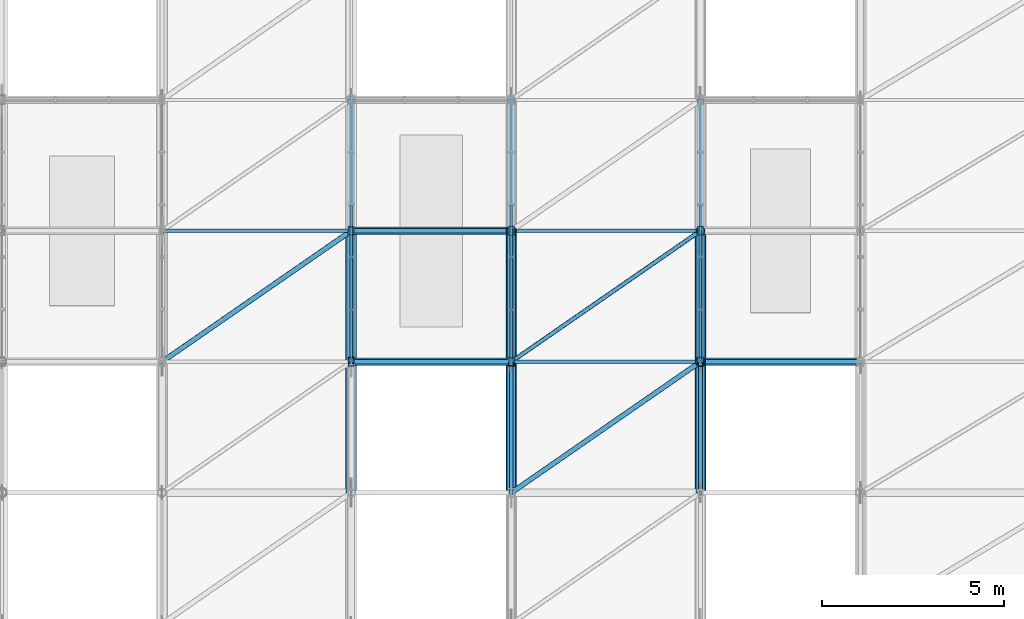
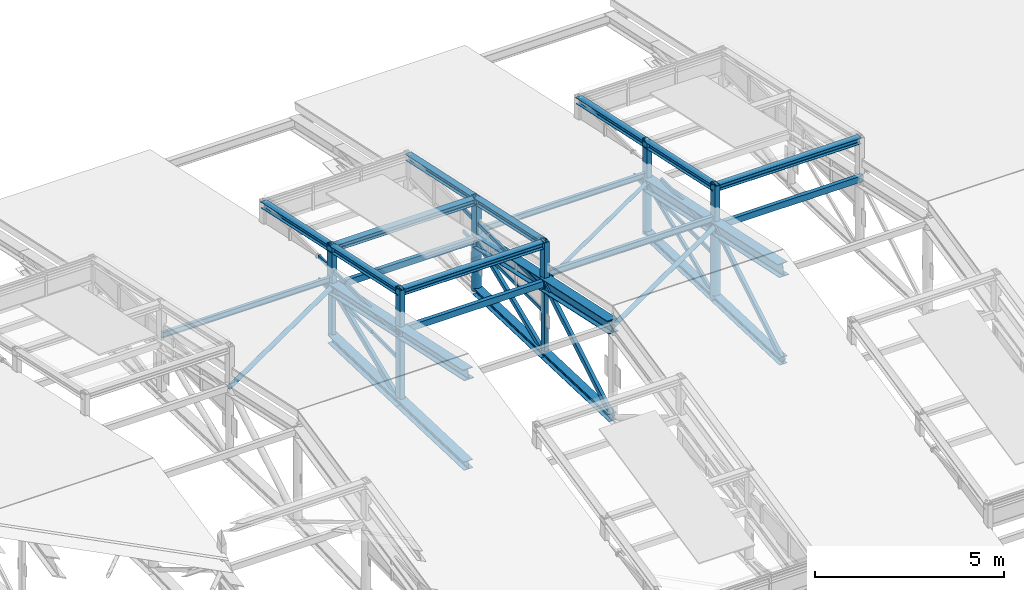
# One storey, part 40 of 124: 61 members, 3 elements without a shape of their own.
"""IFC4 building model written with IfcOpenShell, lengths in metres."""

from ifc_helpers import new_model, si_unit, direction, frame, origin, origin_2d, place, context, subcontext, project, spatial, hollow_rectangle, hollow_circle, i_section, extrude, material, layer, layer_set, material_profile, profile_set, type_object, element, aggregate, save


model = new_model("IFC4")

# Units and contexts
model_context = context("Model", 3, precision=1e-05, world=origin(), true_north=direction((0.0, 1.0)))
body_context = subcontext(model_context, "Body", "Model", "MODEL_VIEW")
ifc_project = project(units=[si_unit("LENGTHUNIT", "METRE"), si_unit("AREAUNIT", "SQUARE_METRE"), si_unit("VOLUMEUNIT", "CUBIC_METRE"), si_unit("PLANEANGLEUNIT", "RADIAN"), si_unit("MASSUNIT", "GRAM", prefix="KILO"), si_unit("THERMODYNAMICTEMPERATUREUNIT", "KELVIN"), si_unit("POWERUNIT", "WATT")], contexts=[model_context])

# Site, building, storey
site_placement = place(None, origin())
site = spatial("IfcSite", under=ifc_project, at=site_placement, CompositionType="ELEMENT")
building_placement = place(site_placement, origin())
building = spatial("IfcBuilding", under=site, at=building_placement, Name="Tavuni Mirador Residences", CompositionType="ELEMENT")
storey_placement = place(building_placement, frame((0.0, 0.0, 7.64990234375)))
storey = spatial("IfcBuildingStorey", under=building, at=storey_placement, Name="L02", CompositionType="ELEMENT", Elevation=7.64990234375)

# Curtain wall, members
ifc_material_1 = material(Name="Anodised aluminium", Category="aluminium")
ifc_layer = layer(ifc_material_1, 0.199951171875, Name="Anodised aluminium", Category="aluminium")
ifc_layer_set = layer_set([ifc_layer], Name="Anodised aluminium")
curtain_wall_type = type_object("IfcCurtainWallType", Name="CWT-HAL-01", PredefinedType="NOTDEFINED", material=ifc_layer_set)
curtain_wall_1_placement = place(storey_placement, origin())
curtain_wall_1 = element("IfcCurtainWall", 1, at=curtain_wall_1_placement, inside=storey, type_object=curtain_wall_type, Name="CW-HALL-MON-N2-W", PredefinedType="NOTDEFINED")
ifc_material_profile_1 = material_profile(ifc_material_1, hollow_rectangle(XDim=0.06005859375, YDim=0.110107421875, WallThickness=0.00390625, at=origin_2d()), Name="ALU 60x110x4.0", Category="aluminium")
ifc_profile_set_1 = profile_set([ifc_material_profile_1], Name="Anodised aluminium")
member_type_1 = type_object("IfcMemberType", Name="CWT-110", PredefinedType="USERDEFINED", material=ifc_profile_set_1)
member_1_placement = place(storey_placement, frame((54.39990234375, 90.06005859375, 1.205078125), z_axis=(0.0, 1.0, 0.0), x_axis=(-1.0, 0.0, 0.0)))
member_1 = element("IfcMember", 2, at=member_1_placement, type_object=member_type_1, Name="CW-06 transom 1.1", ObjectType="TRANSOM", PredefinedType="USERDEFINED", context=body_context, shape_type="SweptSolid", body=[
    extrude(hollow_rectangle(XDim=0.06005859375, YDim=0.110107421875, WallThickness=0.00390625, at=origin_2d()), origin(), (0.0, 0.0, 1.0), 1.349853515625),
])
member_2_placement = place(storey_placement, frame((54.39990234375, 90.06005859375, 1.93505859375), z_axis=(0.0, 1.0, 0.0), x_axis=(-1.0, 0.0, 0.0)))
member_2 = element("IfcMember", 3, at=member_2_placement, type_object=member_type_1, Name="CW-06 transom 1.2", ObjectType="TRANSOM", PredefinedType="USERDEFINED", context=body_context, shape_type="SweptSolid", body=[
    extrude(hollow_rectangle(XDim=0.06005859375, YDim=0.110107421875, WallThickness=0.00390625, at=origin_2d()), origin(), (0.0, 0.0, 1.0), 1.349853515625),
])
member_3_placement = place(storey_placement, frame((54.39990234375, 91.469970703125, 1.205078125), z_axis=(0.0, 1.0, 0.0), x_axis=(-1.0, 0.0, 0.0)))
member_3 = element("IfcMember", 4, at=member_3_placement, type_object=member_type_1, Name="CW-06 transom 2.1", ObjectType="TRANSOM", PredefinedType="USERDEFINED", context=body_context, shape_type="SweptSolid", body=[
    extrude(hollow_rectangle(XDim=0.06005859375, YDim=0.110107421875, WallThickness=0.00390625, at=origin_2d()), origin(), (0.0, 0.0, 1.0), 1.380126953125),
])
member_4_placement = place(storey_placement, frame((54.39990234375, 91.469970703125, 1.93505859375), z_axis=(0.0, 1.0, 0.0), x_axis=(-1.0, 0.0, 0.0)))
member_4 = element("IfcMember", 5, at=member_4_placement, type_object=member_type_1, Name="CW-06 transom 2.2", ObjectType="TRANSOM", PredefinedType="USERDEFINED", context=body_context, shape_type="SweptSolid", body=[
    extrude(hollow_rectangle(XDim=0.06005859375, YDim=0.110107421875, WallThickness=0.00390625, at=origin_2d()), origin(), (0.0, 0.0, 1.0), 1.380126953125),
])
member_5_placement = place(storey_placement, frame((54.39990234375, 92.909912109375, 1.205078125), z_axis=(0.0, 1.0, 0.0), x_axis=(-1.0, 0.0, 0.0)))
member_5 = element("IfcMember", 6, at=member_5_placement, type_object=member_type_1, Name="CW-06 transom 3.1", ObjectType="TRANSOM", PredefinedType="USERDEFINED", context=body_context, shape_type="SweptSolid", body=[
    extrude(hollow_rectangle(XDim=0.06005859375, YDim=0.110107421875, WallThickness=0.00390625, at=origin_2d()), origin(), (0.0, 0.0, 1.0), 1.380126953125),
])
member_6_placement = place(storey_placement, frame((54.39990234375, 92.909912109375, 1.93505859375), z_axis=(0.0, 1.0, 0.0), x_axis=(-1.0, 0.0, 0.0)))
member_6 = element("IfcMember", 7, at=member_6_placement, type_object=member_type_1, Name="CW-06 transom 3.2", ObjectType="TRANSOM", PredefinedType="USERDEFINED", context=body_context, shape_type="SweptSolid", body=[
    extrude(hollow_rectangle(XDim=0.06005859375, YDim=0.110107421875, WallThickness=0.00390625, at=origin_2d()), origin(), (0.0, 0.0, 1.0), 1.380126953125),
])
aggregate(curtain_wall_1, [member_1, member_2, member_3, member_4, member_5, member_6])

curtain_wall_2_placement = place(storey_placement, origin())
curtain_wall_2 = element("IfcCurtainWall", 8, at=curtain_wall_2_placement, inside=storey, type_object=curtain_wall_type, Name="CW-HALL-MON-N2-E", PredefinedType="NOTDEFINED")
member_7_placement = place(storey_placement, frame((58.800048828125, 90.06005859375, 1.205078125), z_axis=(0.0, 1.0, 0.0), x_axis=(-1.0, 0.0, 0.0)))
member_7 = element("IfcMember", 9, at=member_7_placement, type_object=member_type_1, Name="CW-06 transom 1.1", ObjectType="TRANSOM", PredefinedType="USERDEFINED", context=body_context, shape_type="SweptSolid", body=[
    extrude(hollow_rectangle(XDim=0.06005859375, YDim=0.110107421875, WallThickness=0.00390625, at=origin_2d()), origin(), (0.0, 0.0, 1.0), 1.349853515625),
])
member_8_placement = place(storey_placement, frame((58.800048828125, 90.06005859375, 1.93505859375), z_axis=(0.0, 1.0, 0.0), x_axis=(-1.0, 0.0, 0.0)))
member_8 = element("IfcMember", 10, at=member_8_placement, type_object=member_type_1, Name="CW-06 transom 1.2", ObjectType="TRANSOM", PredefinedType="USERDEFINED", context=body_context, shape_type="SweptSolid", body=[
    extrude(hollow_rectangle(XDim=0.06005859375, YDim=0.110107421875, WallThickness=0.00390625, at=origin_2d()), origin(), (0.0, 0.0, 1.0), 1.349853515625),
])
member_9_placement = place(storey_placement, frame((58.800048828125, 91.469970703125, 1.205078125), z_axis=(0.0, 1.0, 0.0), x_axis=(-1.0, 0.0, 0.0)))
member_9 = element("IfcMember", 11, at=member_9_placement, type_object=member_type_1, Name="CW-06 transom 2.1", ObjectType="TRANSOM", PredefinedType="USERDEFINED", context=body_context, shape_type="SweptSolid", body=[
    extrude(hollow_rectangle(XDim=0.06005859375, YDim=0.110107421875, WallThickness=0.00390625, at=origin_2d()), origin(), (0.0, 0.0, 1.0), 1.380126953125),
])
member_10_placement = place(storey_placement, frame((58.800048828125, 91.469970703125, 1.93505859375), z_axis=(0.0, 1.0, 0.0), x_axis=(-1.0, 0.0, 0.0)))
member_10 = element("IfcMember", 12, at=member_10_placement, type_object=member_type_1, Name="CW-06 transom 2.2", ObjectType="TRANSOM", PredefinedType="USERDEFINED", context=body_context, shape_type="SweptSolid", body=[
    extrude(hollow_rectangle(XDim=0.06005859375, YDim=0.110107421875, WallThickness=0.00390625, at=origin_2d()), origin(), (0.0, 0.0, 1.0), 1.380126953125),
])
member_11_placement = place(storey_placement, frame((58.800048828125, 92.909912109375, 1.205078125), z_axis=(0.0, 1.0, 0.0), x_axis=(-1.0, 0.0, 0.0)))
member_11 = element("IfcMember", 13, at=member_11_placement, type_object=member_type_1, Name="CW-06 transom 3.1", ObjectType="TRANSOM", PredefinedType="USERDEFINED", context=body_context, shape_type="SweptSolid", body=[
    extrude(hollow_rectangle(XDim=0.06005859375, YDim=0.110107421875, WallThickness=0.00390625, at=origin_2d()), origin(), (0.0, 0.0, 1.0), 1.380126953125),
])
member_12_placement = place(storey_placement, frame((58.800048828125, 92.909912109375, 1.93505859375), z_axis=(0.0, 1.0, 0.0), x_axis=(-1.0, 0.0, 0.0)))
member_12 = element("IfcMember", 14, at=member_12_placement, type_object=member_type_1, Name="CW-06 transom 3.2", ObjectType="TRANSOM", PredefinedType="USERDEFINED", context=body_context, shape_type="SweptSolid", body=[
    extrude(hollow_rectangle(XDim=0.06005859375, YDim=0.110107421875, WallThickness=0.00390625, at=origin_2d()), origin(), (0.0, 0.0, 1.0), 1.380126953125),
])
aggregate(curtain_wall_2, [member_7, member_8, member_9, member_10, member_11, member_12])

curtain_wall_3_placement = place(storey_placement, origin())
curtain_wall_3 = element("IfcCurtainWall", 15, at=curtain_wall_3_placement, inside=storey, type_object=curtain_wall_type, Name="CW-HALL-MON-N3-W", PredefinedType="NOTDEFINED")
member_13_placement = place(storey_placement, frame((64.0, 90.06005859375, 1.205078125), z_axis=(0.0, 1.0, 0.0), x_axis=(-1.0, 0.0, 0.0)))
member_13 = element("IfcMember", 16, at=member_13_placement, type_object=member_type_1, Name="CW-06 transom 1.1", ObjectType="TRANSOM", PredefinedType="USERDEFINED", context=body_context, shape_type="SweptSolid", body=[
    extrude(hollow_rectangle(XDim=0.06005859375, YDim=0.110107421875, WallThickness=0.00390625, at=origin_2d()), origin(), (0.0, 0.0, 1.0), 1.349853515625),
])
member_14_placement = place(storey_placement, frame((64.0, 90.06005859375, 1.93505859375), z_axis=(0.0, 1.0, 0.0), x_axis=(-1.0, 0.0, 0.0)))
member_14 = element("IfcMember", 17, at=member_14_placement, type_object=member_type_1, Name="CW-06 transom 1.2", ObjectType="TRANSOM", PredefinedType="USERDEFINED", context=body_context, shape_type="SweptSolid", body=[
    extrude(hollow_rectangle(XDim=0.06005859375, YDim=0.110107421875, WallThickness=0.00390625, at=origin_2d()), origin(), (0.0, 0.0, 1.0), 1.349853515625),
])
member_15_placement = place(storey_placement, frame((64.0, 91.469970703125, 1.205078125), z_axis=(0.0, 1.0, 0.0), x_axis=(-1.0, 0.0, 0.0)))
member_15 = element("IfcMember", 18, at=member_15_placement, type_object=member_type_1, Name="CW-06 transom 2.1", ObjectType="TRANSOM", PredefinedType="USERDEFINED", context=body_context, shape_type="SweptSolid", body=[
    extrude(hollow_rectangle(XDim=0.06005859375, YDim=0.110107421875, WallThickness=0.00390625, at=origin_2d()), origin(), (0.0, 0.0, 1.0), 1.380126953125),
])
member_16_placement = place(storey_placement, frame((64.0, 91.469970703125, 1.93505859375), z_axis=(0.0, 1.0, 0.0), x_axis=(-1.0, 0.0, 0.0)))
member_16 = element("IfcMember", 19, at=member_16_placement, type_object=member_type_1, Name="CW-06 transom 2.2", ObjectType="TRANSOM", PredefinedType="USERDEFINED", context=body_context, shape_type="SweptSolid", body=[
    extrude(hollow_rectangle(XDim=0.06005859375, YDim=0.110107421875, WallThickness=0.00390625, at=origin_2d()), origin(), (0.0, 0.0, 1.0), 1.380126953125),
])
member_17_placement = place(storey_placement, frame((64.0, 92.909912109375, 1.205078125), z_axis=(0.0, 1.0, 0.0), x_axis=(-1.0, 0.0, 0.0)))
member_17 = element("IfcMember", 20, at=member_17_placement, type_object=member_type_1, Name="CW-06 transom 3.1", ObjectType="TRANSOM", PredefinedType="USERDEFINED", context=body_context, shape_type="SweptSolid", body=[
    extrude(hollow_rectangle(XDim=0.06005859375, YDim=0.110107421875, WallThickness=0.00390625, at=origin_2d()), origin(), (0.0, 0.0, 1.0), 1.380126953125),
])
aggregate(curtain_wall_3, [member_13, member_14, member_15, member_16, member_17])

# Members
ifc_material_2 = material(Name="Structural steel S355", Category="steel")
ifc_material_profile_2 = material_profile(ifc_material_2, hollow_circle(Radius=0.05712890625, WallThickness=0.00634765625, at=origin_2d()), Name="CHS 114.3x6.3", Category="steel")
ifc_profile_set_2 = profile_set([ifc_material_profile_2], Name="Structural steel S355")
member_type_2 = type_object("IfcMemberType", Name="MT-BR-CHS114", PredefinedType="BRACE", material=ifc_profile_set_2)
member_18_placement = place(storey_placement, frame((58.800048828125, 90.0, 2.155029296875), z_axis=(0.81607988035, 0.564999010077, -0.12161310579), x_axis=(-0.569224029849, 0.822182463838, 0.0)))
element("IfcMember", 21, at=member_18_placement, inside=storey, type_object=member_type_2, Name="HALL-RB-3-06", PredefinedType="BRACE", context=body_context, shape_type="SweptSolid", body=[
    extrude(hollow_circle(Radius=0.05712890625, WallThickness=0.00634765625, at=origin_2d()), origin(), (0.0, 0.0, 1.0), 6.371826171875),
])
ifc_material_profile_3 = material_profile(ifc_material_2, hollow_circle(Radius=0.06982421875, WallThickness=0.008056640625, at=origin_2d()), Name="CHS 139.7x8.0", Category="steel")
ifc_profile_set_3 = profile_set([ifc_material_profile_3], Name="Structural steel S355")
member_type_3 = type_object("IfcMemberType", Name="MT-BR-CHS139", PredefinedType="BRACE", material=ifc_profile_set_3)
for number, where, z_axis, x_axis, name in (
    (22, (49.199951171875, 90.0, 2.155029296875), (0.81607988035, 0.564999010077, -0.12161310579), (-0.569224029849, 0.822182463838, 0.0), "HALL-RB-2-06"),
    (23, (58.800048828125, 86.39990234375, 2.93017578125), (0.816076077126, 0.56499637698, -0.12165085426), (-0.569224029849, 0.822182463838, 0.0), "HALL-RB-3-05"),
):
    element("IfcMember", number, at=place(storey_placement, frame(where, z_axis=z_axis, x_axis=x_axis)), inside=storey, type_object=member_type_3, Name=name, PredefinedType="BRACE", context=body_context, shape_type="SweptSolid", body=[
        extrude(hollow_circle(Radius=0.06982421875, WallThickness=0.008056640625, at=origin_2d()), origin(), (0.0, 0.0, 1.0), 6.371826171875),
    ])
ifc_material_profile_4 = material_profile(ifc_material_2, hollow_rectangle(XDim=0.080078125, YDim=0.1201171875, WallThickness=0.00634765625, at=origin_2d()), Name="RHS 120x80x6.3", Category="steel")
ifc_profile_set_4 = profile_set([ifc_material_profile_4], Name="Structural steel S355")
member_type_4 = type_object("IfcMemberType", Name="MT-BR-RHS120", PredefinedType="BRACE", material=ifc_profile_set_4)
member_19_placement = place(storey_placement, frame((64.0, 90.0, -0.125), z_axis=(0.0, 0.922613480979, 0.385725763613), x_axis=(-1.0, 0.0, 0.0)))
element("IfcMember", 24, at=member_19_placement, inside=storey, type_object=member_type_4, Name="Roof truss TR-6 web diagonal 6", PredefinedType="BRACE", context=body_context, shape_type="SweptSolid", body=[
    extrude(hollow_rectangle(XDim=0.080078125, YDim=0.1201171875, WallThickness=0.00634765625, at=origin_2d()), origin(), (0.0, 0.0, 1.0), 3.902099609375),
])
ifc_material_profile_5 = material_profile(ifc_material_2, hollow_rectangle(XDim=0.10009765625, YDim=0.14990234375, WallThickness=0.008056640625, at=origin_2d()), Name="RHS 150x100x8.0", Category="steel")
ifc_profile_set_5 = profile_set([ifc_material_profile_5], Name="Structural steel S355")
member_type_5 = type_object("IfcMemberType", Name="MT-BR-RHS150", PredefinedType="BRACE", material=ifc_profile_set_5)
member_20_placement = place(storey_placement, frame((58.800048828125, 90.0, -0.125), z_axis=(0.0, 0.922613480979, 0.385725763613), x_axis=(-1.0, 0.0, 0.0)))
element("IfcMember", 25, at=member_20_placement, inside=storey, type_object=member_type_5, Name="Roof truss TR-5 web diagonal 6", PredefinedType="BRACE", context=body_context, shape_type="SweptSolid", body=[
    extrude(hollow_rectangle(XDim=0.10009765625, YDim=0.14990234375, WallThickness=0.008056640625, at=origin_2d()), origin(), (0.0, 0.0, 1.0), 3.902099609375),
])
member_21_placement = place(storey_placement, frame((64.0, 86.39990234375, 0.0), z_axis=(0.0, 0.858021287319, 0.513614126079), x_axis=(-1.0, 0.0, 0.0)))
element("IfcMember", 26, at=member_21_placement, inside=storey, type_object=member_type_5, Name="Roof truss TR-6 web diagonal 5", PredefinedType="BRACE", context=body_context, shape_type="SweptSolid", body=[
    extrude(hollow_rectangle(XDim=0.10009765625, YDim=0.14990234375, WallThickness=0.008056640625, at=origin_2d()), origin(), (0.0, 0.0, 1.0), 4.19580078125),
])
ifc_material_profile_6 = material_profile(ifc_material_2, hollow_rectangle(XDim=0.10009765625, YDim=0.179931640625, WallThickness=0.008056640625, at=origin_2d()), Name="RHS 180x100x8.0", Category="steel")
ifc_profile_set_6 = profile_set([ifc_material_profile_6], Name="Structural steel S355")
member_type_6 = type_object("IfcMemberType", Name="MT-BR-RHS180", PredefinedType="BRACE", material=ifc_profile_set_6)
member_22_placement = place(storey_placement, frame((54.39990234375, 90.0, -0.125), z_axis=(0.0, 0.922613480979, 0.385725763613), x_axis=(-1.0, 0.0, 0.0)))
element("IfcMember", 27, at=member_22_placement, inside=storey, type_object=member_type_6, Name="Roof truss TR-4 web diagonal 6", PredefinedType="BRACE", context=body_context, shape_type="SweptSolid", body=[
    extrude(hollow_rectangle(XDim=0.10009765625, YDim=0.179931640625, WallThickness=0.008056640625, at=origin_2d()), origin(), (0.0, 0.0, 1.0), 3.902099609375),
])
member_23_placement = place(storey_placement, frame((58.800048828125, 86.39990234375, 0.0), z_axis=(0.0, 0.858021287319, 0.513614126079), x_axis=(-1.0, 0.0, 0.0)))
element("IfcMember", 28, at=member_23_placement, inside=storey, type_object=member_type_6, Name="Roof truss TR-5 web diagonal 5", PredefinedType="BRACE", context=body_context, shape_type="SweptSolid", body=[
    extrude(hollow_rectangle(XDim=0.10009765625, YDim=0.179931640625, WallThickness=0.008056640625, at=origin_2d()), origin(), (0.0, 0.0, 1.0), 4.19580078125),
])
ifc_material_profile_7 = material_profile(ifc_material_2, i_section(OverallWidth=0.239990234375, OverallDepth=0.22998046875, WebThickness=0.007568359375, FlangeThickness=0.011962890625, FilletRadius=0.02099609375, at=origin_2d()), Name="HEA 240", Category="steel")
ifc_profile_set_7 = profile_set([ifc_material_profile_7], Name="Structural steel S355")
member_type_7 = type_object("IfcMemberType", Name="MT-CH-HEA240", PredefinedType="CHORD", material=ifc_profile_set_7)
for number, where, z_axis, x_axis, name in (
    (29, (58.800048828125, 86.39990234375, 0.0), (0.0, 0.999397760821, -0.034700369832), (-1.0, 0.0, 0.0), "Roof truss TR-5 bottom chord 5"),
    (30, (58.800048828125, 90.0, -0.125), (0.0, 0.999397760821, -0.034700369832), (-1.0, 0.0, 0.0), "Roof truss TR-5 bottom chord 6"),
    (31, (64.0, 86.39990234375, 0.0), (0.0, 0.999397760821, -0.034700369832), (-1.0, 0.0, 0.0), "Roof truss TR-6 bottom chord 5"),
    (32, (64.0, 90.0, -0.125), (0.0, 0.999397760821, -0.034700369832), (-1.0, 0.0, 0.0), "Roof truss TR-6 bottom chord 6"),
):
    element("IfcMember", number, at=place(storey_placement, frame(where, z_axis=z_axis, x_axis=x_axis)), inside=storey, type_object=member_type_7, Name=name, PredefinedType="CHORD", context=body_context, shape_type="SweptSolid", body=[
        extrude(i_section(OverallWidth=0.239990234375, OverallDepth=0.22998046875, WebThickness=0.007568359375, FlangeThickness=0.011962890625, FilletRadius=0.02099609375, at=origin_2d()), origin(), (0.0, 0.0, 1.0), 3.602294921875),
    ])
ifc_material_profile_8 = material_profile(ifc_material_2, i_section(OverallWidth=0.280029296875, OverallDepth=0.27001953125, WebThickness=0.008056640625, FlangeThickness=0.012939453125, FilletRadius=0.02392578125, at=origin_2d()), Name="HEA 280", Category="steel")
ifc_profile_set_8 = profile_set([ifc_material_profile_8], Name="Structural steel S355")
member_type_8 = type_object("IfcMemberType", Name="MT-CH-HEA280", PredefinedType="CHORD", material=ifc_profile_set_8)
for number, where, z_axis, x_axis, name in (
    (33, (54.39990234375, 86.39990234375, 0.0), (0.0, 0.999397760821, -0.034700369832), (-1.0, 0.0, 0.0), "Roof truss TR-4 bottom chord 5"),
    (34, (54.39990234375, 90.0, -0.125), (0.0, 0.999397760821, -0.034700369832), (-1.0, 0.0, 0.0), "Roof truss TR-4 bottom chord 6"),
):
    element("IfcMember", number, at=place(storey_placement, frame(where, z_axis=z_axis, x_axis=x_axis)), inside=storey, type_object=member_type_8, Name=name, PredefinedType="CHORD", context=body_context, shape_type="SweptSolid", body=[
        extrude(i_section(OverallWidth=0.280029296875, OverallDepth=0.27001953125, WebThickness=0.008056640625, FlangeThickness=0.012939453125, FilletRadius=0.02392578125, at=origin_2d()), origin(), (0.0, 0.0, 1.0), 3.602294921875),
    ])
ifc_material_profile_9 = material_profile(ifc_material_2, i_section(OverallWidth=0.300048828125, OverallDepth=0.389892578125, WebThickness=0.010986328125, FlangeThickness=0.01904296875, FilletRadius=0.027099609375, at=origin_2d()), Name="HEA 400", Category="steel")
ifc_profile_set_9 = profile_set([ifc_material_profile_9], Name="Structural steel S355")
member_type_9 = type_object("IfcMemberType", Name="MT-CH-HEA400", PredefinedType="CHORD", material=ifc_profile_set_9)
for number, where, z_axis, x_axis, name in (
    (35, (58.800048828125, 86.39990234375, 2.93017578125), (0.0, 0.977596264641, -0.210488820035), (-1.0, 0.0, 0.0), "Roof truss TR-5 top chord 5"),
    (36, (58.800048828125, 90.0, 2.155029296875), (0.0, 0.977609904647, -0.210425460284), (-1.0, 0.0, 0.0), "Roof truss TR-5 top chord 6"),
    (37, (64.0, 86.39990234375, 2.93017578125), (0.0, 0.977596264641, -0.210488820035), (-1.0, 0.0, 0.0), "Roof truss TR-6 top chord 5"),
    (38, (64.0, 90.0, 2.155029296875), (0.0, 0.977609904647, -0.210425460284), (-1.0, 0.0, 0.0), "Roof truss TR-6 top chord 6"),
):
    element("IfcMember", number, at=place(storey_placement, frame(where, z_axis=z_axis, x_axis=x_axis)), inside=storey, type_object=member_type_9, Name=name, PredefinedType="CHORD", context=body_context, shape_type="SweptSolid", body=[
        extrude(i_section(OverallWidth=0.300048828125, OverallDepth=0.389892578125, WebThickness=0.010986328125, FlangeThickness=0.01904296875, FilletRadius=0.027099609375, at=origin_2d()), origin(), (0.0, 0.0, 1.0), 3.6826171875),
    ])
ifc_material_profile_10 = material_profile(ifc_material_2, i_section(OverallWidth=0.300048828125, OverallDepth=0.320068359375, WebThickness=0.011474609375, FlangeThickness=0.0205078125, FilletRadius=0.027099609375, at=origin_2d()), Name="HEB 320", Category="steel")
ifc_profile_set_10 = profile_set([ifc_material_profile_10], Name="Structural steel S355")
member_type_10 = type_object("IfcMemberType", Name="MT-CH-HEB320", PredefinedType="CHORD", material=ifc_profile_set_10)
for number, where, z_axis, x_axis, name in (
    (39, (54.39990234375, 86.39990234375, 2.93017578125), (0.0, 0.977596264641, -0.210488820035), (-1.0, 0.0, 0.0), "Roof truss TR-4 top chord 5"),
    (40, (54.39990234375, 90.0, 2.155029296875), (0.0, 0.977609904647, -0.210425460284), (-1.0, 0.0, 0.0), "Roof truss TR-4 top chord 6"),
):
    element("IfcMember", number, at=place(storey_placement, frame(where, z_axis=z_axis, x_axis=x_axis)), inside=storey, type_object=member_type_10, Name=name, PredefinedType="CHORD", context=body_context, shape_type="SweptSolid", body=[
        extrude(i_section(OverallWidth=0.300048828125, OverallDepth=0.320068359375, WebThickness=0.011474609375, FlangeThickness=0.0205078125, FilletRadius=0.027099609375, at=origin_2d()), origin(), (0.0, 0.0, 1.0), 3.6826171875),
    ])
ifc_material_profile_11 = material_profile(ifc_material_2, i_section(OverallWidth=0.199951171875, OverallDepth=0.18994140625, WebThickness=0.006591796875, FlangeThickness=0.010009765625, FilletRadius=0.01806640625, at=origin_2d()), Name="HEA 200", Category="steel")
ifc_profile_set_11 = profile_set([ifc_material_profile_11], Name="Structural steel S355")
member_type_11 = type_object("IfcMemberType", Name="MT-PR-HEA200", PredefinedType="PURLIN", material=ifc_profile_set_11)
for number, where, z_axis, x_axis, name in (
    (41, (54.39990234375, 90.0, 3.4150390625), (1.0, 0.0, 0.0), (0.0, 1.0, 0.0), "HALL-MPUR-2-N-1"),
    (42, (54.39990234375, 93.60009765625, 2.64013671875), (1.0, 0.0, 0.0), (0.0, 1.0, 0.0), "HALL-MPUR-2-N-2"),
):
    element("IfcMember", number, at=place(storey_placement, frame(where, z_axis=z_axis, x_axis=x_axis)), inside=storey, type_object=member_type_11, Name=name, PredefinedType="PURLIN", context=body_context, shape_type="SweptSolid", body=[
        extrude(i_section(OverallWidth=0.199951171875, OverallDepth=0.18994140625, WebThickness=0.006591796875, FlangeThickness=0.010009765625, FilletRadius=0.01806640625, at=origin_2d()), origin(), (0.0, 0.0, 1.0), 4.400146484375),
    ])
for number, where, z_axis, x_axis, name in (
    (43, (54.39990234375, 90.0, 3.4150390625), (0.0, 0.977601616837, -0.21046396071), (-1.0, 0.0, 0.0), "HALL-MRAF-2-N-W"),
    (44, (58.800048828125, 90.0, 3.4150390625), (0.0, 0.977601616837, -0.21046396071), (-1.0, 0.0, 0.0), "HALL-MRAF-2-N-E"),
):
    element("IfcMember", number, at=place(storey_placement, frame(where, z_axis=z_axis, x_axis=x_axis)), inside=storey, type_object=member_type_11, Name=name, PredefinedType="PURLIN", context=body_context, shape_type="SweptSolid", body=[
        extrude(i_section(OverallWidth=0.199951171875, OverallDepth=0.18994140625, WebThickness=0.006591796875, FlangeThickness=0.010009765625, FilletRadius=0.01806640625, at=origin_2d()), origin(), (0.0, 0.0, 1.0), 7.364990234375),
    ])
member_24_placement = place(storey_placement, frame((64.0, 90.0, 3.4150390625), z_axis=(1.0, 0.0, 0.0), x_axis=(0.0, 1.0, 0.0)))
element("IfcMember", 45, at=member_24_placement, inside=storey, type_object=member_type_11, Name="HALL-MPUR-3-N-1", PredefinedType="PURLIN", context=body_context, shape_type="SweptSolid", body=[
    extrude(i_section(OverallWidth=0.199951171875, OverallDepth=0.18994140625, WebThickness=0.006591796875, FlangeThickness=0.010009765625, FilletRadius=0.01806640625, at=origin_2d()), origin(), (0.0, 0.0, 1.0), 4.39990234375),
])
member_25_placement = place(storey_placement, frame((64.0, 90.0, 3.4150390625), z_axis=(0.0, 0.977601616837, -0.21046396071), x_axis=(-1.0, 0.0, 0.0)))
element("IfcMember", 46, at=member_25_placement, inside=storey, type_object=member_type_11, Name="HALL-MRAF-3-N-W", PredefinedType="PURLIN", context=body_context, shape_type="SweptSolid", body=[
    extrude(i_section(OverallWidth=0.199951171875, OverallDepth=0.18994140625, WebThickness=0.006591796875, FlangeThickness=0.010009765625, FilletRadius=0.01806640625, at=origin_2d()), origin(), (0.0, 0.0, 1.0), 7.364990234375),
])
ifc_material_profile_12 = material_profile(ifc_material_2, i_section(OverallWidth=0.091064453125, OverallDepth=0.179931640625, WebThickness=0.00537109375, FlangeThickness=0.008056640625, FilletRadius=0.009033203125, at=origin_2d()), Name="IPE 180", Category="steel")
ifc_profile_set_12 = profile_set([ifc_material_profile_12], Name="Structural steel S355")
member_type_12 = type_object("IfcMemberType", Name="MT-PR-IPE180", PredefinedType="PURLIN", material=ifc_profile_set_12)
for number, where, z_axis, x_axis, name in (
    (47, (49.199951171875, 93.60009765625, 1.64501953125), (1.0, 0.0, 0.0), (0.0, 1.0, 0.0), "HALL-PUR-05-S2-1"),
    (48, (58.800048828125, 93.60009765625, 1.64501953125), (1.0, 0.0, 0.0), (0.0, 1.0, 0.0), "HALL-PUR-05-S3-1"),
):
    element("IfcMember", number, at=place(storey_placement, frame(where, z_axis=z_axis, x_axis=x_axis)), inside=storey, type_object=member_type_12, Name=name, PredefinedType="PURLIN", context=body_context, shape_type="SweptSolid", body=[
        extrude(i_section(OverallWidth=0.091064453125, OverallDepth=0.179931640625, WebThickness=0.00537109375, FlangeThickness=0.008056640625, FilletRadius=0.009033203125, at=origin_2d()), origin(), (0.0, 0.0, 1.0), 5.199951171875),
    ])
ifc_material_profile_13 = material_profile(ifc_material_2, i_section(OverallWidth=0.10009765625, OverallDepth=0.199951171875, WebThickness=0.005615234375, FlangeThickness=0.008544921875, FilletRadius=0.011962890625, at=origin_2d()), Name="IPE 200", Category="steel")
ifc_profile_set_13 = profile_set([ifc_material_profile_13], Name="Structural steel S355")
member_type_13 = type_object("IfcMemberType", Name="MT-PR-IPE200", PredefinedType="PURLIN", material=ifc_profile_set_13)
member_26_placement = place(storey_placement, frame((58.800048828125, 90.0, 2.420166015625), z_axis=(1.0, 0.0, 0.0), x_axis=(0.0, 1.0, 0.0)))
element("IfcMember", 49, at=member_26_placement, inside=storey, type_object=member_type_13, Name="HALL-PUR-04-S3-1", PredefinedType="PURLIN", context=body_context, shape_type="SweptSolid", body=[
    extrude(i_section(OverallWidth=0.10009765625, OverallDepth=0.199951171875, WebThickness=0.005615234375, FlangeThickness=0.008544921875, FilletRadius=0.011962890625, at=origin_2d()), origin(), (0.0, 0.0, 1.0), 5.199951171875),
])
ifc_material_profile_14 = material_profile(ifc_material_2, hollow_circle(Radius=0.122314453125, WallThickness=0.012451171875, at=origin_2d()), Name="CHS 244.5x12.5", Category="steel")
ifc_profile_set_14 = profile_set([ifc_material_profile_14], Name="Structural steel S355")
member_type_14 = type_object("IfcMemberType", Name="MT-ST-CHS244", PredefinedType="STRUT", material=ifc_profile_set_14)
member_27_placement = place(storey_placement, frame((64.0, 93.60009765625, -0.25), z_axis=(0.0, 0.0, 1.0), x_axis=(1.0, 0.0, 0.0)))
element("IfcMember", 50, at=member_27_placement, inside=storey, type_object=member_type_14, Name="Roof truss TR-6 vertical 7", PredefinedType="STRUT", context=body_context, shape_type="SweptSolid", body=[
    extrude(hollow_circle(Radius=0.122314453125, WallThickness=0.012451171875, at=origin_2d()), origin(), (0.0, 0.0, 1.0), 1.630126953125),
])
ifc_material_profile_15 = material_profile(ifc_material_2, hollow_circle(Radius=0.136474609375, WallThickness=0.012451171875, at=origin_2d()), Name="CHS 273.0x12.5", Category="steel")
ifc_profile_set_15 = profile_set([ifc_material_profile_15], Name="Structural steel S355")
member_type_15 = type_object("IfcMemberType", Name="MT-ST-CHS273", PredefinedType="STRUT", material=ifc_profile_set_15)
member_28_placement = place(storey_placement, frame((58.800048828125, 93.60009765625, -0.25), z_axis=(0.0, 0.0, 1.0), x_axis=(1.0, 0.0, 0.0)))
element("IfcMember", 51, at=member_28_placement, inside=storey, type_object=member_type_15, Name="Roof truss TR-5 vertical 7", PredefinedType="STRUT", context=body_context, shape_type="SweptSolid", body=[
    extrude(hollow_circle(Radius=0.136474609375, WallThickness=0.012451171875, at=origin_2d()), origin(), (0.0, 0.0, 1.0), 1.630126953125),
])
member_29_placement = place(storey_placement, frame((64.0, 90.0, -0.125), z_axis=(0.0, 0.0, 1.0), x_axis=(1.0, 0.0, 0.0)))
element("IfcMember", 52, at=member_29_placement, inside=storey, type_object=member_type_15, Name="Roof truss TR-6 vertical 6", PredefinedType="STRUT", context=body_context, shape_type="SweptSolid", body=[
    extrude(hollow_circle(Radius=0.136474609375, WallThickness=0.012451171875, at=origin_2d()), origin(), (0.0, 0.0, 1.0), 2.280029296875),
])
ifc_material_profile_16 = material_profile(ifc_material_2, hollow_rectangle(XDim=0.1201171875, YDim=0.199951171875, WallThickness=0.010009765625, at=origin_2d()), Name="RHS 200x120x10.0", Category="steel")
ifc_profile_set_16 = profile_set([ifc_material_profile_16], Name="Structural steel S355")
member_type_16 = type_object("IfcMemberType", Name="MT-ST-RHS200", PredefinedType="STRUT", material=ifc_profile_set_16)
member_30_placement = place(storey_placement, frame((54.39990234375, 93.60009765625, -0.25), z_axis=(0.0, 0.0, 1.0), x_axis=(1.0, 0.0, 0.0)))
element("IfcMember", 53, at=member_30_placement, inside=storey, type_object=member_type_16, Name="Roof truss TR-4 vertical 7", PredefinedType="STRUT", context=body_context, shape_type="SweptSolid", body=[
    extrude(hollow_rectangle(XDim=0.1201171875, YDim=0.199951171875, WallThickness=0.010009765625, at=origin_2d()), origin(), (0.0, 0.0, 1.0), 1.630126953125),
])
member_31_placement = place(storey_placement, frame((58.800048828125, 90.0, -0.125), z_axis=(0.0, 0.0, 1.0), x_axis=(1.0, 0.0, 0.0)))
element("IfcMember", 54, at=member_31_placement, inside=storey, type_object=member_type_16, Name="Roof truss TR-5 vertical 6", PredefinedType="STRUT", context=body_context, shape_type="SweptSolid", body=[
    extrude(hollow_rectangle(XDim=0.1201171875, YDim=0.199951171875, WallThickness=0.010009765625, at=origin_2d()), origin(), (0.0, 0.0, 1.0), 2.280029296875),
])
for number, where, z_axis, x_axis, name in (
    (55, (54.320068359375, 90.0, 2.155029296875), (1.0, 0.0, 0.0), (0.0, 1.0, 0.0), "HALL-MTIE-2-05"),
    (56, (54.320068359375, 93.60009765625, 1.380126953125), (1.0, 0.0, 0.0), (0.0, 1.0, 0.0), "HALL-MTIE-2-06"),
):
    element("IfcMember", number, at=place(storey_placement, frame(where, z_axis=z_axis, x_axis=x_axis)), inside=storey, type_object=member_type_16, Name=name, PredefinedType="STRUT", context=body_context, shape_type="SweptSolid", body=[
        extrude(hollow_rectangle(XDim=0.1201171875, YDim=0.199951171875, WallThickness=0.010009765625, at=origin_2d()), origin(), (0.0, 0.0, 1.0), 4.559814453125),
    ])
member_32_placement = place(storey_placement, frame((63.919921875, 90.0, 2.155029296875), z_axis=(1.0, 0.0, 0.0), x_axis=(0.0, 1.0, 0.0)))
element("IfcMember", 57, at=member_32_placement, inside=storey, type_object=member_type_16, Name="HALL-MTIE-3-05", PredefinedType="STRUT", context=body_context, shape_type="SweptSolid", body=[
    extrude(hollow_rectangle(XDim=0.1201171875, YDim=0.199951171875, WallThickness=0.010009765625, at=origin_2d()), origin(), (0.0, 0.0, 1.0), 4.56005859375),
])
ifc_material_profile_17 = material_profile(ifc_material_2, hollow_rectangle(XDim=0.14990234375, YDim=0.25, WallThickness=0.010009765625, at=origin_2d()), Name="RHS 250x150x10.0", Category="steel")
ifc_profile_set_17 = profile_set([ifc_material_profile_17], Name="Structural steel S355")
member_type_17 = type_object("IfcMemberType", Name="MT-ST-RHS250", PredefinedType="STRUT", material=ifc_profile_set_17)
member_33_placement = place(storey_placement, frame((54.39990234375, 90.0, -0.125), z_axis=(0.0, 0.0, 1.0), x_axis=(1.0, 0.0, 0.0)))
element("IfcMember", 58, at=member_33_placement, inside=storey, type_object=member_type_17, Name="Roof truss TR-4 vertical 6", PredefinedType="STRUT", context=body_context, shape_type="SweptSolid", body=[
    extrude(hollow_rectangle(XDim=0.14990234375, YDim=0.25, WallThickness=0.010009765625, at=origin_2d()), origin(), (0.0, 0.0, 1.0), 2.280029296875),
])
for number, where, z_axis, x_axis, name in (
    (59, (54.39990234375, 90.0, 2.03515625), (0.0, 0.0, 1.0), (1.0, 0.0, 0.0), "HALL-MPST-2-N-W1"),
    (60, (58.800048828125, 90.0, 2.03515625), (0.0, 0.0, 1.0), (1.0, 0.0, 0.0), "HALL-MPST-2-N-E1"),
    (61, (54.39990234375, 93.60009765625, 1.260009765625), (0.0, 0.0, 1.0), (1.0, 0.0, 0.0), "HALL-MPST-2-N-W2"),
    (62, (58.800048828125, 93.60009765625, 1.260009765625), (0.0, 0.0, 1.0), (1.0, 0.0, 0.0), "HALL-MPST-2-N-E2"),
    (63, (64.0, 90.0, 2.03515625), (0.0, 0.0, 1.0), (1.0, 0.0, 0.0), "HALL-MPST-3-N-W1"),
    (64, (64.0, 93.60009765625, 1.260009765625), (0.0, 0.0, 1.0), (1.0, 0.0, 0.0), "HALL-MPST-3-N-W2"),
):
    element("IfcMember", number, at=place(storey_placement, frame(where, z_axis=z_axis, x_axis=x_axis)), inside=storey, type_object=member_type_17, Name=name, PredefinedType="STRUT", context=body_context, shape_type="SweptSolid", body=[
        extrude(hollow_rectangle(XDim=0.14990234375, YDim=0.25, WallThickness=0.010009765625, at=origin_2d()), origin(), (0.0, 0.0, 1.0), 1.489990234375),
    ])

save(model, "model.ifc")
